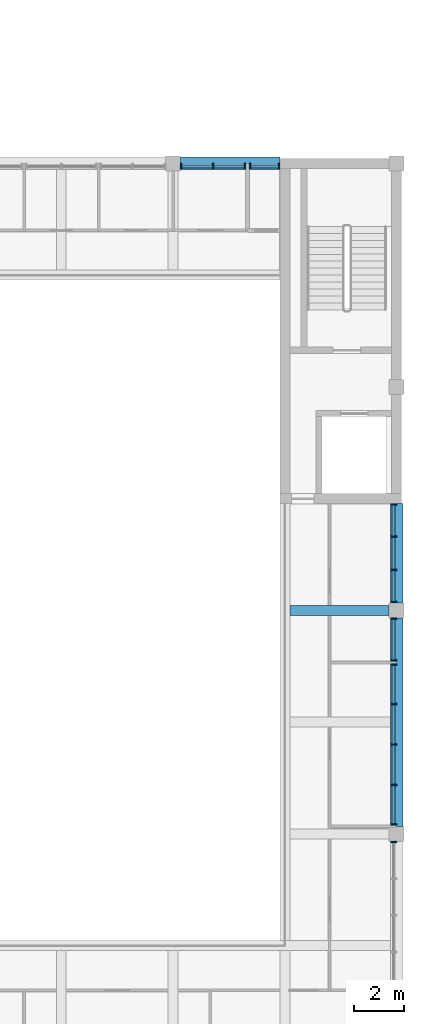
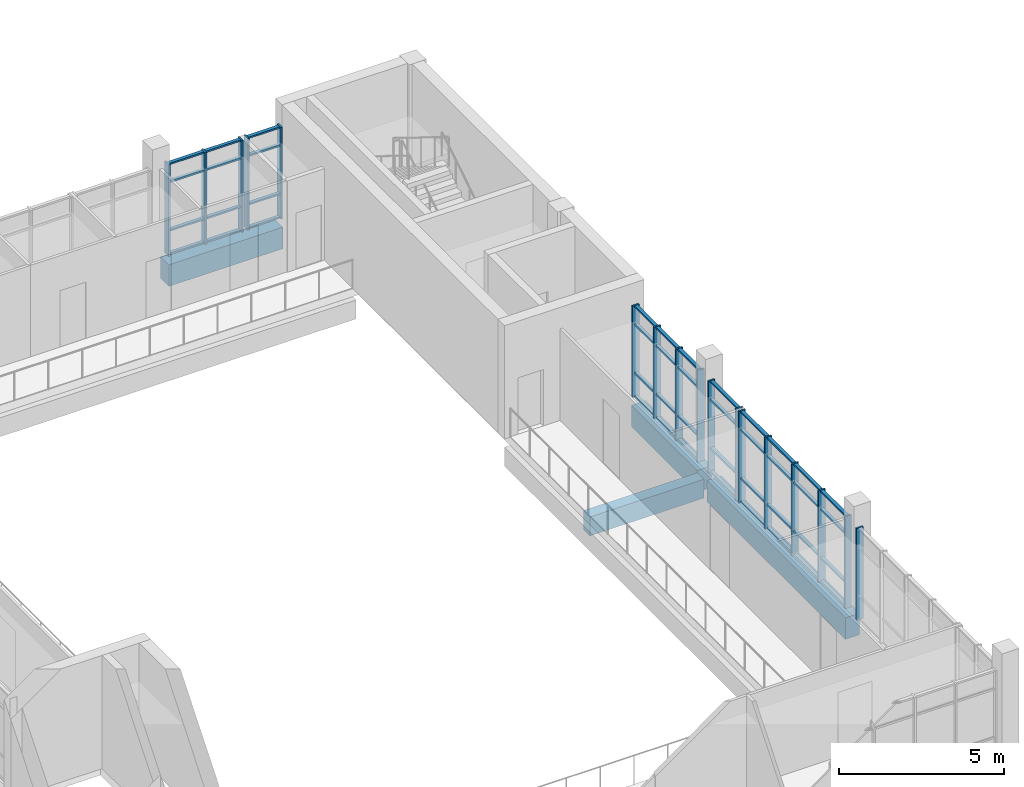
# One storey, part 11 of 92: 61 members, 4 beams, 6 elements without a shape of their own.
"""IFC4 building model written with IfcOpenShell, lengths in metres."""

import ifcopenshell
import ifcopenshell.guid

model = None  # the IFC model being written
_history = None  # IfcOwnerHistory: only IFC2X3 demands one
_inside = {}  # id of a spatial element -> (the spatial element, [elements in it])
_under = {}  # id of a project, library or spatial element -> (it, [spatial elements below it])
_declared = {}  # id of a project -> (the project, [libraries it declares])
_typed = {}  # id of a type object -> (the type object, [elements of that type])
_made_of = {}  # id of a material, layer set ... -> (it, [elements and type objects made of it])


def new_model(schema):
    """Start an empty IFC model of exactly this schema.

    Asked for "IFC4X3", IfcOpenShell would pick the latest addendum, in which some entities
    have other attributes; the version numbers below select the first issue.
    IFC2X3 requires an IfcOwnerHistory on every rooted entity: one is made here for all.
    """
    global model, _history
    if schema == "IFC4X3":
        model = ifcopenshell.file(schema_version=(4, 3, 0, 0))
    else:
        model = ifcopenshell.file(schema=schema)
    _inside.clear()
    _under.clear()
    _declared.clear()
    _typed.clear()
    _made_of.clear()
    _history = None
    if model.schema == "IFC2X3":
        org = make("IfcOrganization", Name="unknown")
        user = make(
            "IfcPersonAndOrganization",
            ThePerson=make("IfcPerson", FamilyName="unknown"),
            TheOrganization=org,
        )
        app = make(
            "IfcApplication",
            ApplicationDeveloper=org,
            Version="unknown",
            ApplicationFullName="unknown",
            ApplicationIdentifier="unknown",
        )
        _history = make(
            "IfcOwnerHistory",
            OwningUser=user,
            OwningApplication=app,
            ChangeAction="ADDED",
            CreationDate=0,
        )
    return model


def make(cls, **values):
    """One entity of the class cls with the attributes given. An attribute that is None is left unset."""
    return model.create_entity(
        cls, **{name: value for name, value in values.items() if value is not None}
    )


def rooted(cls, **values):
    """An entity with a GlobalId (a new one), such as an element, a storey or a relation."""
    return make(cls, GlobalId=ifcopenshell.guid.new(), OwnerHistory=_history, **values)


def si_unit(unit_type, name, prefix=None):
    """IfcSIUnit, for example si_unit("LENGTHUNIT", "METRE", prefix="MILLI")."""
    return make("IfcSIUnit", UnitType=unit_type, Prefix=prefix, Name=name)


def assignment(units):
    """IfcUnitAssignment: the units of a project."""
    return None if units is None else make("IfcUnitAssignment", Units=units)


def point(xyz):
    """IfcCartesianPoint."""
    return None if xyz is None else make("IfcCartesianPoint", Coordinates=xyz)


def direction(xyz):
    """IfcDirection."""
    return None if xyz is None else make("IfcDirection", DirectionRatios=xyz)


def frame(location, z_axis=None, x_axis=None):
    """IfcAxis2Placement3D, a coordinate frame: its origin and axes. An axis left out is left unset."""
    return make(
        "IfcAxis2Placement3D",
        Location=point(location),
        Axis=direction(z_axis),
        RefDirection=direction(x_axis),
    )


def frame_2d(location, x_axis=None):
    """IfcAxis2Placement2D, a coordinate frame in the plane: its origin and x axis."""
    return make(
        "IfcAxis2Placement2D", Location=point(location), RefDirection=direction(x_axis)
    )


def origin():
    """The frame at (0, 0, 0) with its axes left unset."""
    return frame((0.0, 0.0, 0.0))


def origin_2d():
    """The frame at (0, 0) in the plane with its x axis left unset."""
    return frame_2d((0.0, 0.0))


def place(relative_to, where):
    """IfcLocalPlacement: puts the frame where relative to a parent placement (None: the world)."""
    return make(
        "IfcLocalPlacement", PlacementRelTo=relative_to, RelativePlacement=where
    )


def context(
    kind, dimensions, precision=None, world=None, true_north=None, identifier=None
):
    """IfcGeometricRepresentationContext, for example the 3D "Model" context."""
    return make(
        "IfcGeometricRepresentationContext",
        ContextIdentifier=identifier,
        ContextType=kind,
        CoordinateSpaceDimension=dimensions,
        Precision=precision,
        WorldCoordinateSystem=world,
        TrueNorth=true_north,
    )


def subcontext(parent, identifier, kind, view, scale=None):
    """IfcGeometricRepresentationSubContext, for example "Body" below "Model"."""
    return make(
        "IfcGeometricRepresentationSubContext",
        ContextIdentifier=identifier,
        ContextType=kind,
        ParentContext=parent,
        TargetScale=scale,
        TargetView=view,
    )


def project(units=None, contexts=None):
    """IfcProject with its units and contexts."""
    return rooted(
        "IfcProject",
        Name="project",
        RepresentationContexts=contexts,
        UnitsInContext=assignment(units),
    )


def spatial(cls, under=None, at=None, **own):
    """A site, building, storey or space (cls), placed at a placement, below another one or the project."""
    s = rooted(cls, ObjectPlacement=at, **own)
    if under is not None:
        _under.setdefault(under.id(), (under, []))[1].append(s)
    return s


def profile(cls, at=None, kind="AREA", **sizes):
    """A parametric profile (cls). Its sizes go by their IFC names, for example OverallWidth=200.0."""
    return make(cls, ProfileType=kind, Position=at, **sizes)


def rectangle(**sizes):
    """IfcRectangleProfileDef."""
    return profile("IfcRectangleProfileDef", **sizes)


def extrude(swept, where, along, depth):
    """IfcExtrudedAreaSolid: the profile swept, set in the frame where, extruded along a direction by depth."""
    return make(
        "IfcExtrudedAreaSolid",
        SweptArea=swept,
        Position=where,
        ExtrudedDirection=direction(along),
        Depth=depth,
    )


def shape(context_of_items, identifier, shape_type, items):
    """IfcShapeRepresentation: the items that make up one representation, for example the "Body"."""
    return make(
        "IfcShapeRepresentation",
        ContextOfItems=context_of_items,
        RepresentationIdentifier=identifier,
        RepresentationType=shape_type,
        Items=items,
    )


def material(Name=None, Category=None):
    """IfcMaterial."""
    return make("IfcMaterial", Name=Name, Category=Category)


def material_profile(
    of_material, cross_section, Name=None, Category=None, Priority=None
):
    """IfcMaterialProfile: a cross section and its material."""
    return make(
        "IfcMaterialProfile",
        Name=Name,
        Material=of_material,
        Profile=cross_section,
        Priority=Priority,
        Category=Category,
    )


def profile_set(profiles, Name=None, composite=None):
    """IfcMaterialProfileSet."""
    return make(
        "IfcMaterialProfileSet",
        Name=Name,
        MaterialProfiles=profiles,
        CompositeProfile=composite,
    )


def made_of(thing, what):
    """Note that an element or type object is made of a material, layer set ...; save() writes the relation."""
    if what is not None:
        _made_of.setdefault(what.id(), (what, []))[1].append(thing)
    return thing


def type_object(cls, material=None, **own):
    """A type object (cls), such as IfcWallType, which elements share."""
    return made_of(rooted(cls, **own), material)


def element(
    cls,
    number,
    at=None,
    inside=None,
    cuts=None,
    type_object=None,
    material=None,
    context=None,
    identifier="Body",
    shape_type=None,
    held_by="IfcProductDefinitionShape",
    body=None,
    shapes=None,
    **own,
):
    """One element of the class cls, such as IfcWall. Its Tag is "e" and its number.

    at: its placement. inside: the storey or other place that contains it. cuts: it is an
    opening in that element (IfcRelVoidsElement). A single representation is given by context,
    identifier, shape_type and body (its items); several are given by shapes. held_by: the class
    of the entity that holds the representations. save() writes the other relations.
    """
    e = rooted(cls, Tag="e%d" % number, ObjectPlacement=at, **own)
    if body is not None:
        shapes = [shape(context, identifier, shape_type, body)]
    if shapes is not None:
        e.Representation = make(held_by, Representations=shapes)
    if inside is not None:
        _inside.setdefault(inside.id(), (inside, []))[1].append(e)
    if cuts is not None:
        rooted(
            "IfcRelVoidsElement", RelatingBuildingElement=cuts, RelatedOpeningElement=e
        )
    if type_object is not None:
        _typed.setdefault(type_object.id(), (type_object, []))[1].append(e)
    return made_of(e, material)


def aggregate(whole, parts):
    """IfcRelAggregates: a whole, such as a stair, and the parts it consists of."""
    return rooted("IfcRelAggregates", RelatingObject=whole, RelatedObjects=parts)


def save(model, path):
    """Write the relations noted so far, then the file.

    IfcRelAggregates (storeys below a building ...), IfcRelContainedInSpatialStructure (elements
    in a storey), IfcRelDefinesByType, IfcRelAssociatesMaterial and IfcRelDeclares: one each for
    every whole, place, type object, material and project.
    """
    for whole, parts in _under.values():
        aggregate(whole, parts)
    for where, things in _inside.values():
        rooted(
            "IfcRelContainedInSpatialStructure",
            RelatedElements=things,
            RelatingStructure=where,
        )
    for kind, things in _typed.values():
        rooted("IfcRelDefinesByType", RelatedObjects=things, RelatingType=kind)
    for what, things in _made_of.values():
        rooted("IfcRelAssociatesMaterial", RelatedObjects=things, RelatingMaterial=what)
    for by, libraries in _declared.values():
        rooted("IfcRelDeclares", RelatingContext=by, RelatedDefinitions=libraries)
    model.write(path)


model = new_model("IFC4")

# Units and contexts
model_context = context("Model", 3, precision=1e-05, world=origin(), true_north=direction((0.0, 1.0)))
body_context = subcontext(model_context, "Body", "Model", "MODEL_VIEW")
ifc_project = project(units=[si_unit("LENGTHUNIT", "METRE"), si_unit("AREAUNIT", "SQUARE_METRE"), si_unit("VOLUMEUNIT", "CUBIC_METRE"), si_unit("PLANEANGLEUNIT", "RADIAN"), si_unit("MASSUNIT", "GRAM", prefix="KILO")], contexts=[model_context])

# Site, building, storey
site_placement = place(None, origin())
site = spatial("IfcSite", under=ifc_project, at=site_placement, CompositionType="ELEMENT")
building_placement = place(site_placement, origin())
building = spatial("IfcBuilding", under=site, at=building_placement, Name="Merrow Basin Faculty of Sciences", CompositionType="ELEMENT")
storey_placement = place(building_placement, frame((0.0, 0.0, 4.5)))
storey = spatial("IfcBuildingStorey", under=building, at=storey_placement, Name="L01", CompositionType="ELEMENT", Elevation=4.5)

# Curtain wall, members
ifc_material_1 = material(Name="Aluminium alloy 6063", Category="aluminium")
curtain_wall_type = type_object("IfcCurtainWallType", Name="Atrium unitised curtain wall 240", PredefinedType="NOTDEFINED", material=ifc_material_1)
curtain_wall_1_placement = place(storey_placement, origin())
curtain_wall_1 = element("IfcCurtainWall", 1, at=curtain_wall_1_placement, inside=storey, type_object=curtain_wall_type, Name="N curtain wall L01 5", PredefinedType="NOTDEFINED")
ifc_material_2 = material(Name="Aluminium alloy 6063", Category="aluminium")
ifc_material_profile_1 = material_profile(ifc_material_2, rectangle(XDim=0.239990234375, YDim=0.06005859375, at=origin_2d()))
ifc_profile_set_1 = profile_set([ifc_material_profile_1], Name="Aluminium alloy 6063")
member_type_1 = type_object("IfcMemberType", Name="Aluminium mullion 60x240", PredefinedType="MULLION", material=ifc_profile_set_1)
member_1_placement = place(storey_placement, frame((63.330078125, 35.8798828125, 0.0), z_axis=(0.0, 0.0, 1.0), x_axis=(0.0, 1.0, 0.0)))
member_1 = element("IfcMember", 2, at=member_1_placement, type_object=member_type_1, Name="CW5 mullion 1", PredefinedType="MULLION", context=body_context, shape_type="SweptSolid", body=[
    extrude(rectangle(XDim=0.239990234375, YDim=0.06005859375, at=origin_2d()), origin(), (0.0, 0.0, 1.0), 3.39990234375),
])
member_2_placement = place(storey_placement, frame((64.612548828125, 35.8798828125, 0.0), z_axis=(0.0, 0.0, 1.0), x_axis=(0.0, 1.0, 0.0)))
member_2 = element("IfcMember", 3, at=member_2_placement, type_object=member_type_1, Name="CW5 mullion 2", PredefinedType="MULLION", context=body_context, shape_type="SweptSolid", body=[
    extrude(rectangle(XDim=0.239990234375, YDim=0.06005859375, at=origin_2d()), origin(), (0.0, 0.0, 1.0), 3.39990234375),
])
member_3_placement = place(storey_placement, frame((65.89501953125, 35.8798828125, 0.0), z_axis=(0.0, 0.0, 1.0), x_axis=(0.0, 1.0, 0.0)))
member_3 = element("IfcMember", 4, at=member_3_placement, type_object=member_type_1, Name="CW5 mullion 3", PredefinedType="MULLION", context=body_context, shape_type="SweptSolid", body=[
    extrude(rectangle(XDim=0.239990234375, YDim=0.06005859375, at=origin_2d()), origin(), (0.0, 0.0, 1.0), 3.39990234375),
])

curtain_wall_2_placement = place(storey_placement, origin())
curtain_wall_2 = element("IfcCurtainWall", 5, at=curtain_wall_2_placement, inside=storey, type_object=curtain_wall_type, Name="N curtain wall L01 6", PredefinedType="NOTDEFINED")
member_4_placement = place(storey_placement, frame((66.10498046875, 35.8798828125, 0.0), z_axis=(0.0, 0.0, 1.0), x_axis=(0.0, 1.0, 0.0)))
member_4 = element("IfcMember", 6, at=member_4_placement, type_object=member_type_1, Name="CW5 mullion 1", PredefinedType="MULLION", context=body_context, shape_type="SweptSolid", body=[
    extrude(rectangle(XDim=0.239990234375, YDim=0.06005859375, at=origin_2d()), origin(), (0.0, 0.0, 1.0), 3.39990234375),
])
member_5_placement = place(storey_placement, frame((67.27001953125, 35.8798828125, 0.0), z_axis=(0.0, 0.0, 1.0), x_axis=(0.0, 1.0, 0.0)))
member_5 = element("IfcMember", 7, at=member_5_placement, type_object=member_type_1, Name="CW5 mullion 2", PredefinedType="MULLION", context=body_context, shape_type="SweptSolid", body=[
    extrude(rectangle(XDim=0.239990234375, YDim=0.06005859375, at=origin_2d()), origin(), (0.0, 0.0, 1.0), 3.39990234375),
])

# Curtain wall, member
curtain_wall_3_placement = place(storey_placement, origin())
curtain_wall_3 = element("IfcCurtainWall", 8, at=curtain_wall_3_placement, inside=storey, type_object=curtain_wall_type, Name="E curtain wall L01 2", PredefinedType="NOTDEFINED")
member_6_placement = place(storey_placement, frame((71.8798828125, 8.669921875, 0.0), z_axis=(0.0, 0.0, 1.0), x_axis=(-1.0, 0.0, 0.0)))
member_6 = element("IfcMember", 9, at=member_6_placement, type_object=member_type_1, Name="CW5 mullion 5", PredefinedType="MULLION", context=body_context, shape_type="SweptSolid", body=[
    extrude(rectangle(XDim=0.239990234375, YDim=0.06005859375, at=origin_2d()), origin(), (0.0, 0.0, 1.0), 3.39990234375),
])
aggregate(curtain_wall_3, [member_6])

# Curtain wall, members
curtain_wall_4_placement = place(storey_placement, origin())
curtain_wall_4 = element("IfcCurtainWall", 10, at=curtain_wall_4_placement, inside=storey, type_object=curtain_wall_type, Name="E curtain wall L01 3", PredefinedType="NOTDEFINED")
member_7_placement = place(storey_placement, frame((71.8798828125, 9.3798828125, 0.0), z_axis=(0.0, 0.0, 1.0), x_axis=(-1.0, 0.0, 0.0)))
member_7 = element("IfcMember", 11, at=member_7_placement, type_object=member_type_1, Name="CW5 mullion 1", PredefinedType="MULLION", context=body_context, shape_type="SweptSolid", body=[
    extrude(rectangle(XDim=0.239990234375, YDim=0.06005859375, at=origin_2d()), origin(), (0.0, 0.0, 1.0), 3.39990234375),
])
member_8_placement = place(storey_placement, frame((71.8798828125, 10.97509765625, 0.0), z_axis=(0.0, 0.0, 1.0), x_axis=(-1.0, 0.0, 0.0)))
member_8 = element("IfcMember", 12, at=member_8_placement, type_object=member_type_1, Name="CW5 mullion 2", PredefinedType="MULLION", context=body_context, shape_type="SweptSolid", body=[
    extrude(rectangle(XDim=0.239990234375, YDim=0.06005859375, at=origin_2d()), origin(), (0.0, 0.0, 1.0), 3.39990234375),
])
member_9_placement = place(storey_placement, frame((71.8798828125, 12.60009765625, 0.0), z_axis=(0.0, 0.0, 1.0), x_axis=(-1.0, 0.0, 0.0)))
member_9 = element("IfcMember", 13, at=member_9_placement, type_object=member_type_1, Name="CW5 mullion 3", PredefinedType="MULLION", context=body_context, shape_type="SweptSolid", body=[
    extrude(rectangle(XDim=0.239990234375, YDim=0.06005859375, at=origin_2d()), origin(), (0.0, 0.0, 1.0), 3.39990234375),
])
member_10_placement = place(storey_placement, frame((71.8798828125, 14.22509765625, 0.0), z_axis=(0.0, 0.0, 1.0), x_axis=(-1.0, 0.0, 0.0)))
member_10 = element("IfcMember", 14, at=member_10_placement, type_object=member_type_1, Name="CW5 mullion 4", PredefinedType="MULLION", context=body_context, shape_type="SweptSolid", body=[
    extrude(rectangle(XDim=0.239990234375, YDim=0.06005859375, at=origin_2d()), origin(), (0.0, 0.0, 1.0), 3.39990234375),
])
member_11_placement = place(storey_placement, frame((71.8798828125, 15.820068359375, 0.0), z_axis=(0.0, 0.0, 1.0), x_axis=(-1.0, 0.0, 0.0)))
member_11 = element("IfcMember", 15, at=member_11_placement, type_object=member_type_1, Name="CW5 mullion 5", PredefinedType="MULLION", context=body_context, shape_type="SweptSolid", body=[
    extrude(rectangle(XDim=0.239990234375, YDim=0.06005859375, at=origin_2d()), origin(), (0.0, 0.0, 1.0), 3.39990234375),
])

curtain_wall_5_placement = place(storey_placement, origin())
curtain_wall_5 = element("IfcCurtainWall", 16, at=curtain_wall_5_placement, inside=storey, type_object=curtain_wall_type, Name="E curtain wall L01 4", PredefinedType="NOTDEFINED")
member_12_placement = place(storey_placement, frame((71.8798828125, 15.97998046875, 0.0), z_axis=(0.0, 0.0, 1.0), x_axis=(-1.0, 0.0, 0.0)))
member_12 = element("IfcMember", 17, at=member_12_placement, type_object=member_type_1, Name="CW5 mullion 1", PredefinedType="MULLION", context=body_context, shape_type="SweptSolid", body=[
    extrude(rectangle(XDim=0.239990234375, YDim=0.06005859375, at=origin_2d()), origin(), (0.0, 0.0, 1.0), 3.39990234375),
])
member_13_placement = place(storey_placement, frame((71.8798828125, 17.669921875, 0.0), z_axis=(0.0, 0.0, 1.0), x_axis=(-1.0, 0.0, 0.0)))
member_13 = element("IfcMember", 18, at=member_13_placement, type_object=member_type_1, Name="CW5 mullion 2", PredefinedType="MULLION", context=body_context, shape_type="SweptSolid", body=[
    extrude(rectangle(XDim=0.239990234375, YDim=0.06005859375, at=origin_2d()), origin(), (0.0, 0.0, 1.0), 3.39990234375),
])

curtain_wall_6_placement = place(storey_placement, origin())
curtain_wall_6 = element("IfcCurtainWall", 19, at=curtain_wall_6_placement, inside=storey, type_object=curtain_wall_type, Name="E curtain wall L01 5", PredefinedType="NOTDEFINED")
member_14_placement = place(storey_placement, frame((71.8798828125, 18.330078125, 0.0), z_axis=(0.0, 0.0, 1.0), x_axis=(-1.0, 0.0, 0.0)))
member_14 = element("IfcMember", 20, at=member_14_placement, type_object=member_type_1, Name="CW5 mullion 1", PredefinedType="MULLION", context=body_context, shape_type="SweptSolid", body=[
    extrude(rectangle(XDim=0.239990234375, YDim=0.06005859375, at=origin_2d()), origin(), (0.0, 0.0, 1.0), 3.39990234375),
])
member_15_placement = place(storey_placement, frame((71.8798828125, 19.63330078125, 0.0), z_axis=(0.0, 0.0, 1.0), x_axis=(-1.0, 0.0, 0.0)))
member_15 = element("IfcMember", 21, at=member_15_placement, type_object=member_type_1, Name="CW5 mullion 2", PredefinedType="MULLION", context=body_context, shape_type="SweptSolid", body=[
    extrude(rectangle(XDim=0.239990234375, YDim=0.06005859375, at=origin_2d()), origin(), (0.0, 0.0, 1.0), 3.39990234375),
])
member_16_placement = place(storey_placement, frame((71.8798828125, 20.966552734375, 0.0), z_axis=(0.0, 0.0, 1.0), x_axis=(-1.0, 0.0, 0.0)))
member_16 = element("IfcMember", 22, at=member_16_placement, type_object=member_type_1, Name="CW5 mullion 3", PredefinedType="MULLION", context=body_context, shape_type="SweptSolid", body=[
    extrude(rectangle(XDim=0.239990234375, YDim=0.06005859375, at=origin_2d()), origin(), (0.0, 0.0, 1.0), 3.39990234375),
])
member_17_placement = place(storey_placement, frame((71.8798828125, 22.27001953125, 0.0), z_axis=(0.0, 0.0, 1.0), x_axis=(-1.0, 0.0, 0.0)))
member_17 = element("IfcMember", 23, at=member_17_placement, type_object=member_type_1, Name="CW5 mullion 4", PredefinedType="MULLION", context=body_context, shape_type="SweptSolid", body=[
    extrude(rectangle(XDim=0.239990234375, YDim=0.06005859375, at=origin_2d()), origin(), (0.0, 0.0, 1.0), 3.39990234375),
])

# Member
ifc_material_3 = material(Name="Aluminium alloy 6063", Category="aluminium")
ifc_material_profile_2 = material_profile(ifc_material_3, rectangle(XDim=0.1201171875, YDim=0.06005859375, at=origin_2d()))
ifc_profile_set_2 = profile_set([ifc_material_profile_2], Name="Aluminium alloy 6063")
member_type_2 = type_object("IfcMemberType", Name="Aluminium transom 60x120", PredefinedType="USERDEFINED", material=ifc_profile_set_2)
member_18_placement = place(storey_placement, frame((63.360107421875, 35.8798828125, 0.030029296875), z_axis=(1.0, 0.0, 0.0), x_axis=(0.0, 1.0, 0.0)))
member_18 = element("IfcMember", 24, at=member_18_placement, type_object=member_type_2, Name="CW5 transom 1.1", ObjectType="TRANSOM", PredefinedType="USERDEFINED", context=body_context, shape_type="SweptSolid", body=[
    extrude(rectangle(XDim=0.1201171875, YDim=0.06005859375, at=origin_2d()), origin(), (0.0, 0.0, 1.0), 1.222412109375),
])

member_19_placement = place(storey_placement, frame((63.360107421875, 35.8798828125, 0.89990234375), z_axis=(1.0, 0.0, 0.0), x_axis=(0.0, 1.0, 0.0)))
member_19 = element("IfcMember", 25, at=member_19_placement, type_object=member_type_2, Name="CW5 transom 1.2", ObjectType="TRANSOM", PredefinedType="USERDEFINED", context=body_context, shape_type="SweptSolid", body=[
    extrude(rectangle(XDim=0.1201171875, YDim=0.06005859375, at=origin_2d()), origin(), (0.0, 0.0, 1.0), 1.222412109375),
])

member_20_placement = place(storey_placement, frame((63.360107421875, 35.8798828125, 2.699951171875), z_axis=(1.0, 0.0, 0.0), x_axis=(0.0, 1.0, 0.0)))
member_20 = element("IfcMember", 26, at=member_20_placement, type_object=member_type_2, Name="CW5 transom 1.3", ObjectType="TRANSOM", PredefinedType="USERDEFINED", context=body_context, shape_type="SweptSolid", body=[
    extrude(rectangle(XDim=0.1201171875, YDim=0.06005859375, at=origin_2d()), origin(), (0.0, 0.0, 1.0), 1.222412109375),
])

member_21_placement = place(storey_placement, frame((63.360107421875, 35.8798828125, 3.3701171875), z_axis=(1.0, 0.0, 0.0), x_axis=(0.0, 1.0, 0.0)))
member_21 = element("IfcMember", 27, at=member_21_placement, type_object=member_type_2, Name="CW5 transom 1.4", ObjectType="TRANSOM", PredefinedType="USERDEFINED", context=body_context, shape_type="SweptSolid", body=[
    extrude(rectangle(XDim=0.1201171875, YDim=0.06005859375, at=origin_2d()), origin(), (0.0, 0.0, 1.0), 1.222412109375),
])

member_22_placement = place(storey_placement, frame((64.642578125, 35.8798828125, 0.030029296875), z_axis=(1.0, 0.0, 0.0), x_axis=(0.0, 1.0, 0.0)))
member_22 = element("IfcMember", 28, at=member_22_placement, type_object=member_type_2, Name="CW5 transom 2.1", ObjectType="TRANSOM", PredefinedType="USERDEFINED", context=body_context, shape_type="SweptSolid", body=[
    extrude(rectangle(XDim=0.1201171875, YDim=0.06005859375, at=origin_2d()), origin(), (0.0, 0.0, 1.0), 1.222412109375),
])

member_23_placement = place(storey_placement, frame((64.642578125, 35.8798828125, 0.89990234375), z_axis=(1.0, 0.0, 0.0), x_axis=(0.0, 1.0, 0.0)))
member_23 = element("IfcMember", 29, at=member_23_placement, type_object=member_type_2, Name="CW5 transom 2.2", ObjectType="TRANSOM", PredefinedType="USERDEFINED", context=body_context, shape_type="SweptSolid", body=[
    extrude(rectangle(XDim=0.1201171875, YDim=0.06005859375, at=origin_2d()), origin(), (0.0, 0.0, 1.0), 1.222412109375),
])

member_24_placement = place(storey_placement, frame((64.642578125, 35.8798828125, 2.699951171875), z_axis=(1.0, 0.0, 0.0), x_axis=(0.0, 1.0, 0.0)))
member_24 = element("IfcMember", 30, at=member_24_placement, type_object=member_type_2, Name="CW5 transom 2.3", ObjectType="TRANSOM", PredefinedType="USERDEFINED", context=body_context, shape_type="SweptSolid", body=[
    extrude(rectangle(XDim=0.1201171875, YDim=0.06005859375, at=origin_2d()), origin(), (0.0, 0.0, 1.0), 1.222412109375),
])

member_25_placement = place(storey_placement, frame((64.642578125, 35.8798828125, 3.3701171875), z_axis=(1.0, 0.0, 0.0), x_axis=(0.0, 1.0, 0.0)))
member_25 = element("IfcMember", 31, at=member_25_placement, type_object=member_type_2, Name="CW5 transom 2.4", ObjectType="TRANSOM", PredefinedType="USERDEFINED", context=body_context, shape_type="SweptSolid", body=[
    extrude(rectangle(XDim=0.1201171875, YDim=0.06005859375, at=origin_2d()), origin(), (0.0, 0.0, 1.0), 1.222412109375),
])

aggregate(curtain_wall_1, [member_1, member_2, member_3, member_18, member_19, member_20, member_21, member_22, member_23, member_24, member_25])

member_26_placement = place(storey_placement, frame((66.135009765625, 35.8798828125, 0.030029296875), z_axis=(1.0, 0.0, 0.0), x_axis=(0.0, 1.0, 0.0)))
member_26 = element("IfcMember", 32, at=member_26_placement, type_object=member_type_2, Name="CW5 transom 1.1", ObjectType="TRANSOM", PredefinedType="USERDEFINED", context=body_context, shape_type="SweptSolid", body=[
    extrude(rectangle(XDim=0.1201171875, YDim=0.06005859375, at=origin_2d()), origin(), (0.0, 0.0, 1.0), 1.10498046875),
])

member_27_placement = place(storey_placement, frame((66.135009765625, 35.8798828125, 0.89990234375), z_axis=(1.0, 0.0, 0.0), x_axis=(0.0, 1.0, 0.0)))
member_27 = element("IfcMember", 33, at=member_27_placement, type_object=member_type_2, Name="CW5 transom 1.2", ObjectType="TRANSOM", PredefinedType="USERDEFINED", context=body_context, shape_type="SweptSolid", body=[
    extrude(rectangle(XDim=0.1201171875, YDim=0.06005859375, at=origin_2d()), origin(), (0.0, 0.0, 1.0), 1.10498046875),
])

member_28_placement = place(storey_placement, frame((66.135009765625, 35.8798828125, 2.699951171875), z_axis=(1.0, 0.0, 0.0), x_axis=(0.0, 1.0, 0.0)))
member_28 = element("IfcMember", 34, at=member_28_placement, type_object=member_type_2, Name="CW5 transom 1.3", ObjectType="TRANSOM", PredefinedType="USERDEFINED", context=body_context, shape_type="SweptSolid", body=[
    extrude(rectangle(XDim=0.1201171875, YDim=0.06005859375, at=origin_2d()), origin(), (0.0, 0.0, 1.0), 1.10498046875),
])

member_29_placement = place(storey_placement, frame((66.135009765625, 35.8798828125, 3.3701171875), z_axis=(1.0, 0.0, 0.0), x_axis=(0.0, 1.0, 0.0)))
member_29 = element("IfcMember", 35, at=member_29_placement, type_object=member_type_2, Name="CW5 transom 1.4", ObjectType="TRANSOM", PredefinedType="USERDEFINED", context=body_context, shape_type="SweptSolid", body=[
    extrude(rectangle(XDim=0.1201171875, YDim=0.06005859375, at=origin_2d()), origin(), (0.0, 0.0, 1.0), 1.10498046875),
])

aggregate(curtain_wall_2, [member_4, member_5, member_26, member_27, member_28, member_29])

member_30_placement = place(storey_placement, frame((71.8798828125, 9.409912109375, 0.030029296875), z_axis=(0.0, 1.0, 0.0), x_axis=(-1.0, 0.0, 0.0)))
member_30 = element("IfcMember", 36, at=member_30_placement, type_object=member_type_2, Name="CW5 transom 1.1", ObjectType="TRANSOM", PredefinedType="USERDEFINED", context=body_context, shape_type="SweptSolid", body=[
    extrude(rectangle(XDim=0.1201171875, YDim=0.06005859375, at=origin_2d()), origin(), (0.0, 0.0, 1.0), 1.53515625),
])

member_31_placement = place(storey_placement, frame((71.8798828125, 9.409912109375, 0.89990234375), z_axis=(0.0, 1.0, 0.0), x_axis=(-1.0, 0.0, 0.0)))
member_31 = element("IfcMember", 37, at=member_31_placement, type_object=member_type_2, Name="CW5 transom 1.2", ObjectType="TRANSOM", PredefinedType="USERDEFINED", context=body_context, shape_type="SweptSolid", body=[
    extrude(rectangle(XDim=0.1201171875, YDim=0.06005859375, at=origin_2d()), origin(), (0.0, 0.0, 1.0), 1.53515625),
])

member_32_placement = place(storey_placement, frame((71.8798828125, 9.409912109375, 2.699951171875), z_axis=(0.0, 1.0, 0.0), x_axis=(-1.0, 0.0, 0.0)))
member_32 = element("IfcMember", 38, at=member_32_placement, type_object=member_type_2, Name="CW5 transom 1.3", ObjectType="TRANSOM", PredefinedType="USERDEFINED", context=body_context, shape_type="SweptSolid", body=[
    extrude(rectangle(XDim=0.1201171875, YDim=0.06005859375, at=origin_2d()), origin(), (0.0, 0.0, 1.0), 1.53515625),
])

member_33_placement = place(storey_placement, frame((71.8798828125, 9.409912109375, 3.3701171875), z_axis=(0.0, 1.0, 0.0), x_axis=(-1.0, 0.0, 0.0)))
member_33 = element("IfcMember", 39, at=member_33_placement, type_object=member_type_2, Name="CW5 transom 1.4", ObjectType="TRANSOM", PredefinedType="USERDEFINED", context=body_context, shape_type="SweptSolid", body=[
    extrude(rectangle(XDim=0.1201171875, YDim=0.06005859375, at=origin_2d()), origin(), (0.0, 0.0, 1.0), 1.53515625),
])

member_34_placement = place(storey_placement, frame((71.8798828125, 11.0048828125, 0.030029296875), z_axis=(0.0, 1.0, 0.0), x_axis=(-1.0, 0.0, 0.0)))
member_34 = element("IfcMember", 40, at=member_34_placement, type_object=member_type_2, Name="CW5 transom 2.1", ObjectType="TRANSOM", PredefinedType="USERDEFINED", context=body_context, shape_type="SweptSolid", body=[
    extrude(rectangle(XDim=0.1201171875, YDim=0.06005859375, at=origin_2d()), origin(), (0.0, 0.0, 1.0), 1.565185546875),
])

member_35_placement = place(storey_placement, frame((71.8798828125, 11.0048828125, 0.89990234375), z_axis=(0.0, 1.0, 0.0), x_axis=(-1.0, 0.0, 0.0)))
member_35 = element("IfcMember", 41, at=member_35_placement, type_object=member_type_2, Name="CW5 transom 2.2", ObjectType="TRANSOM", PredefinedType="USERDEFINED", context=body_context, shape_type="SweptSolid", body=[
    extrude(rectangle(XDim=0.1201171875, YDim=0.06005859375, at=origin_2d()), origin(), (0.0, 0.0, 1.0), 1.565185546875),
])

member_36_placement = place(storey_placement, frame((71.8798828125, 11.0048828125, 2.699951171875), z_axis=(0.0, 1.0, 0.0), x_axis=(-1.0, 0.0, 0.0)))
member_36 = element("IfcMember", 42, at=member_36_placement, type_object=member_type_2, Name="CW5 transom 2.3", ObjectType="TRANSOM", PredefinedType="USERDEFINED", context=body_context, shape_type="SweptSolid", body=[
    extrude(rectangle(XDim=0.1201171875, YDim=0.06005859375, at=origin_2d()), origin(), (0.0, 0.0, 1.0), 1.565185546875),
])

member_37_placement = place(storey_placement, frame((71.8798828125, 11.0048828125, 3.3701171875), z_axis=(0.0, 1.0, 0.0), x_axis=(-1.0, 0.0, 0.0)))
member_37 = element("IfcMember", 43, at=member_37_placement, type_object=member_type_2, Name="CW5 transom 2.4", ObjectType="TRANSOM", PredefinedType="USERDEFINED", context=body_context, shape_type="SweptSolid", body=[
    extrude(rectangle(XDim=0.1201171875, YDim=0.06005859375, at=origin_2d()), origin(), (0.0, 0.0, 1.0), 1.565185546875),
])

member_38_placement = place(storey_placement, frame((71.8798828125, 12.6298828125, 0.030029296875), z_axis=(0.0, 1.0, 0.0), x_axis=(-1.0, 0.0, 0.0)))
member_38 = element("IfcMember", 44, at=member_38_placement, type_object=member_type_2, Name="CW5 transom 3.1", ObjectType="TRANSOM", PredefinedType="USERDEFINED", context=body_context, shape_type="SweptSolid", body=[
    extrude(rectangle(XDim=0.1201171875, YDim=0.06005859375, at=origin_2d()), origin(), (0.0, 0.0, 1.0), 1.565185546875),
])

member_39_placement = place(storey_placement, frame((71.8798828125, 12.6298828125, 0.89990234375), z_axis=(0.0, 1.0, 0.0), x_axis=(-1.0, 0.0, 0.0)))
member_39 = element("IfcMember", 45, at=member_39_placement, type_object=member_type_2, Name="CW5 transom 3.2", ObjectType="TRANSOM", PredefinedType="USERDEFINED", context=body_context, shape_type="SweptSolid", body=[
    extrude(rectangle(XDim=0.1201171875, YDim=0.06005859375, at=origin_2d()), origin(), (0.0, 0.0, 1.0), 1.565185546875),
])

member_40_placement = place(storey_placement, frame((71.8798828125, 12.6298828125, 2.699951171875), z_axis=(0.0, 1.0, 0.0), x_axis=(-1.0, 0.0, 0.0)))
member_40 = element("IfcMember", 46, at=member_40_placement, type_object=member_type_2, Name="CW5 transom 3.3", ObjectType="TRANSOM", PredefinedType="USERDEFINED", context=body_context, shape_type="SweptSolid", body=[
    extrude(rectangle(XDim=0.1201171875, YDim=0.06005859375, at=origin_2d()), origin(), (0.0, 0.0, 1.0), 1.565185546875),
])

member_41_placement = place(storey_placement, frame((71.8798828125, 12.6298828125, 3.3701171875), z_axis=(0.0, 1.0, 0.0), x_axis=(-1.0, 0.0, 0.0)))
member_41 = element("IfcMember", 47, at=member_41_placement, type_object=member_type_2, Name="CW5 transom 3.4", ObjectType="TRANSOM", PredefinedType="USERDEFINED", context=body_context, shape_type="SweptSolid", body=[
    extrude(rectangle(XDim=0.1201171875, YDim=0.06005859375, at=origin_2d()), origin(), (0.0, 0.0, 1.0), 1.565185546875),
])

member_42_placement = place(storey_placement, frame((71.8798828125, 14.2548828125, 0.030029296875), z_axis=(0.0, 1.0, 0.0), x_axis=(-1.0, 0.0, 0.0)))
member_42 = element("IfcMember", 48, at=member_42_placement, type_object=member_type_2, Name="CW5 transom 4.1", ObjectType="TRANSOM", PredefinedType="USERDEFINED", context=body_context, shape_type="SweptSolid", body=[
    extrude(rectangle(XDim=0.1201171875, YDim=0.06005859375, at=origin_2d()), origin(), (0.0, 0.0, 1.0), 1.53515625),
])

member_43_placement = place(storey_placement, frame((71.8798828125, 14.2548828125, 0.89990234375), z_axis=(0.0, 1.0, 0.0), x_axis=(-1.0, 0.0, 0.0)))
member_43 = element("IfcMember", 49, at=member_43_placement, type_object=member_type_2, Name="CW5 transom 4.2", ObjectType="TRANSOM", PredefinedType="USERDEFINED", context=body_context, shape_type="SweptSolid", body=[
    extrude(rectangle(XDim=0.1201171875, YDim=0.06005859375, at=origin_2d()), origin(), (0.0, 0.0, 1.0), 1.53515625),
])

member_44_placement = place(storey_placement, frame((71.8798828125, 14.2548828125, 2.699951171875), z_axis=(0.0, 1.0, 0.0), x_axis=(-1.0, 0.0, 0.0)))
member_44 = element("IfcMember", 50, at=member_44_placement, type_object=member_type_2, Name="CW5 transom 4.3", ObjectType="TRANSOM", PredefinedType="USERDEFINED", context=body_context, shape_type="SweptSolid", body=[
    extrude(rectangle(XDim=0.1201171875, YDim=0.06005859375, at=origin_2d()), origin(), (0.0, 0.0, 1.0), 1.53515625),
])

member_45_placement = place(storey_placement, frame((71.8798828125, 14.2548828125, 3.3701171875), z_axis=(0.0, 1.0, 0.0), x_axis=(-1.0, 0.0, 0.0)))
member_45 = element("IfcMember", 51, at=member_45_placement, type_object=member_type_2, Name="CW5 transom 4.4", ObjectType="TRANSOM", PredefinedType="USERDEFINED", context=body_context, shape_type="SweptSolid", body=[
    extrude(rectangle(XDim=0.1201171875, YDim=0.06005859375, at=origin_2d()), origin(), (0.0, 0.0, 1.0), 1.53515625),
])

aggregate(curtain_wall_4, [member_7, member_8, member_9, member_10, member_11, member_30, member_31, member_32, member_33, member_34, member_35, member_36, member_37, member_38, member_39, member_40, member_41, member_42, member_43, member_44, member_45])

member_46_placement = place(storey_placement, frame((71.8798828125, 16.010009765625, 0.030029296875), z_axis=(0.0, 1.0, 0.0), x_axis=(-1.0, 0.0, 0.0)))
member_46 = element("IfcMember", 52, at=member_46_placement, type_object=member_type_2, Name="CW5 transom 1.1", ObjectType="TRANSOM", PredefinedType="USERDEFINED", context=body_context, shape_type="SweptSolid", body=[
    extrude(rectangle(XDim=0.1201171875, YDim=0.06005859375, at=origin_2d()), origin(), (0.0, 0.0, 1.0), 1.6298828125),
])

member_47_placement = place(storey_placement, frame((71.8798828125, 16.010009765625, 0.89990234375), z_axis=(0.0, 1.0, 0.0), x_axis=(-1.0, 0.0, 0.0)))
member_47 = element("IfcMember", 53, at=member_47_placement, type_object=member_type_2, Name="CW5 transom 1.2", ObjectType="TRANSOM", PredefinedType="USERDEFINED", context=body_context, shape_type="SweptSolid", body=[
    extrude(rectangle(XDim=0.1201171875, YDim=0.06005859375, at=origin_2d()), origin(), (0.0, 0.0, 1.0), 1.6298828125),
])

member_48_placement = place(storey_placement, frame((71.8798828125, 16.010009765625, 2.699951171875), z_axis=(0.0, 1.0, 0.0), x_axis=(-1.0, 0.0, 0.0)))
member_48 = element("IfcMember", 54, at=member_48_placement, type_object=member_type_2, Name="CW5 transom 1.3", ObjectType="TRANSOM", PredefinedType="USERDEFINED", context=body_context, shape_type="SweptSolid", body=[
    extrude(rectangle(XDim=0.1201171875, YDim=0.06005859375, at=origin_2d()), origin(), (0.0, 0.0, 1.0), 1.6298828125),
])

member_49_placement = place(storey_placement, frame((71.8798828125, 16.010009765625, 3.3701171875), z_axis=(0.0, 1.0, 0.0), x_axis=(-1.0, 0.0, 0.0)))
member_49 = element("IfcMember", 55, at=member_49_placement, type_object=member_type_2, Name="CW5 transom 1.4", ObjectType="TRANSOM", PredefinedType="USERDEFINED", context=body_context, shape_type="SweptSolid", body=[
    extrude(rectangle(XDim=0.1201171875, YDim=0.06005859375, at=origin_2d()), origin(), (0.0, 0.0, 1.0), 1.6298828125),
])

aggregate(curtain_wall_5, [member_12, member_13, member_46, member_47, member_48, member_49])

member_50_placement = place(storey_placement, frame((71.8798828125, 18.360107421875, 0.030029296875), z_axis=(0.0, 1.0, 0.0), x_axis=(-1.0, 0.0, 0.0)))
member_50 = element("IfcMember", 56, at=member_50_placement, type_object=member_type_2, Name="CW5 transom 1.1", ObjectType="TRANSOM", PredefinedType="USERDEFINED", context=body_context, shape_type="SweptSolid", body=[
    extrude(rectangle(XDim=0.1201171875, YDim=0.06005859375, at=origin_2d()), origin(), (0.0, 0.0, 1.0), 1.2431640625),
])

member_51_placement = place(storey_placement, frame((71.8798828125, 18.360107421875, 0.89990234375), z_axis=(0.0, 1.0, 0.0), x_axis=(-1.0, 0.0, 0.0)))
member_51 = element("IfcMember", 57, at=member_51_placement, type_object=member_type_2, Name="CW5 transom 1.2", ObjectType="TRANSOM", PredefinedType="USERDEFINED", context=body_context, shape_type="SweptSolid", body=[
    extrude(rectangle(XDim=0.1201171875, YDim=0.06005859375, at=origin_2d()), origin(), (0.0, 0.0, 1.0), 1.2431640625),
])

member_52_placement = place(storey_placement, frame((71.8798828125, 18.360107421875, 2.699951171875), z_axis=(0.0, 1.0, 0.0), x_axis=(-1.0, 0.0, 0.0)))
member_52 = element("IfcMember", 58, at=member_52_placement, type_object=member_type_2, Name="CW5 transom 1.3", ObjectType="TRANSOM", PredefinedType="USERDEFINED", context=body_context, shape_type="SweptSolid", body=[
    extrude(rectangle(XDim=0.1201171875, YDim=0.06005859375, at=origin_2d()), origin(), (0.0, 0.0, 1.0), 1.2431640625),
])

member_53_placement = place(storey_placement, frame((71.8798828125, 18.360107421875, 3.3701171875), z_axis=(0.0, 1.0, 0.0), x_axis=(-1.0, 0.0, 0.0)))
member_53 = element("IfcMember", 59, at=member_53_placement, type_object=member_type_2, Name="CW5 transom 1.4", ObjectType="TRANSOM", PredefinedType="USERDEFINED", context=body_context, shape_type="SweptSolid", body=[
    extrude(rectangle(XDim=0.1201171875, YDim=0.06005859375, at=origin_2d()), origin(), (0.0, 0.0, 1.0), 1.2431640625),
])

member_54_placement = place(storey_placement, frame((71.8798828125, 19.663330078125, 0.030029296875), z_axis=(0.0, 1.0, 0.0), x_axis=(-1.0, 0.0, 0.0)))
member_54 = element("IfcMember", 60, at=member_54_placement, type_object=member_type_2, Name="CW5 transom 2.1", ObjectType="TRANSOM", PredefinedType="USERDEFINED", context=body_context, shape_type="SweptSolid", body=[
    extrude(rectangle(XDim=0.1201171875, YDim=0.06005859375, at=origin_2d()), origin(), (0.0, 0.0, 1.0), 1.2734375),
])

member_55_placement = place(storey_placement, frame((71.8798828125, 19.663330078125, 0.89990234375), z_axis=(0.0, 1.0, 0.0), x_axis=(-1.0, 0.0, 0.0)))
member_55 = element("IfcMember", 61, at=member_55_placement, type_object=member_type_2, Name="CW5 transom 2.2", ObjectType="TRANSOM", PredefinedType="USERDEFINED", context=body_context, shape_type="SweptSolid", body=[
    extrude(rectangle(XDim=0.1201171875, YDim=0.06005859375, at=origin_2d()), origin(), (0.0, 0.0, 1.0), 1.2734375),
])

member_56_placement = place(storey_placement, frame((71.8798828125, 19.663330078125, 2.699951171875), z_axis=(0.0, 1.0, 0.0), x_axis=(-1.0, 0.0, 0.0)))
member_56 = element("IfcMember", 62, at=member_56_placement, type_object=member_type_2, Name="CW5 transom 2.3", ObjectType="TRANSOM", PredefinedType="USERDEFINED", context=body_context, shape_type="SweptSolid", body=[
    extrude(rectangle(XDim=0.1201171875, YDim=0.06005859375, at=origin_2d()), origin(), (0.0, 0.0, 1.0), 1.2734375),
])

member_57_placement = place(storey_placement, frame((71.8798828125, 19.663330078125, 3.3701171875), z_axis=(0.0, 1.0, 0.0), x_axis=(-1.0, 0.0, 0.0)))
member_57 = element("IfcMember", 63, at=member_57_placement, type_object=member_type_2, Name="CW5 transom 2.4", ObjectType="TRANSOM", PredefinedType="USERDEFINED", context=body_context, shape_type="SweptSolid", body=[
    extrude(rectangle(XDim=0.1201171875, YDim=0.06005859375, at=origin_2d()), origin(), (0.0, 0.0, 1.0), 1.2734375),
])

member_58_placement = place(storey_placement, frame((71.8798828125, 20.99658203125, 0.030029296875), z_axis=(0.0, 1.0, 0.0), x_axis=(-1.0, 0.0, 0.0)))
member_58 = element("IfcMember", 64, at=member_58_placement, type_object=member_type_2, Name="CW5 transom 3.1", ObjectType="TRANSOM", PredefinedType="USERDEFINED", context=body_context, shape_type="SweptSolid", body=[
    extrude(rectangle(XDim=0.1201171875, YDim=0.06005859375, at=origin_2d()), origin(), (0.0, 0.0, 1.0), 1.243408203125),
])

member_59_placement = place(storey_placement, frame((71.8798828125, 20.99658203125, 0.89990234375), z_axis=(0.0, 1.0, 0.0), x_axis=(-1.0, 0.0, 0.0)))
member_59 = element("IfcMember", 65, at=member_59_placement, type_object=member_type_2, Name="CW5 transom 3.2", ObjectType="TRANSOM", PredefinedType="USERDEFINED", context=body_context, shape_type="SweptSolid", body=[
    extrude(rectangle(XDim=0.1201171875, YDim=0.06005859375, at=origin_2d()), origin(), (0.0, 0.0, 1.0), 1.243408203125),
])

member_60_placement = place(storey_placement, frame((71.8798828125, 20.99658203125, 2.699951171875), z_axis=(0.0, 1.0, 0.0), x_axis=(-1.0, 0.0, 0.0)))
member_60 = element("IfcMember", 66, at=member_60_placement, type_object=member_type_2, Name="CW5 transom 3.3", ObjectType="TRANSOM", PredefinedType="USERDEFINED", context=body_context, shape_type="SweptSolid", body=[
    extrude(rectangle(XDim=0.1201171875, YDim=0.06005859375, at=origin_2d()), origin(), (0.0, 0.0, 1.0), 1.243408203125),
])

member_61_placement = place(storey_placement, frame((71.8798828125, 20.99658203125, 3.3701171875), z_axis=(0.0, 1.0, 0.0), x_axis=(-1.0, 0.0, 0.0)))
member_61 = element("IfcMember", 67, at=member_61_placement, type_object=member_type_2, Name="CW5 transom 3.4", ObjectType="TRANSOM", PredefinedType="USERDEFINED", context=body_context, shape_type="SweptSolid", body=[
    extrude(rectangle(XDim=0.1201171875, YDim=0.06005859375, at=origin_2d()), origin(), (0.0, 0.0, 1.0), 1.243408203125),
])

aggregate(curtain_wall_6, [member_14, member_15, member_16, member_17, member_50, member_51, member_52, member_53, member_54, member_55, member_56, member_57, member_58, member_59, member_60, member_61])

# Beams
ifc_material_4 = material(Name="Concrete C40/50", Category="concrete")
ifc_material_profile_3 = material_profile(ifc_material_4, rectangle(XDim=0.5, YDim=0.800048828125, at=origin_2d()))
ifc_profile_set_3 = profile_set([ifc_material_profile_3], Name="Concrete C40/50")
beam_type_1 = type_object("IfcBeamType", Name="Beam RC500x800 C40/50", PredefinedType="BEAM", material=ifc_profile_set_3)
beam_1_placement = place(storey_placement, frame((63.300048828125, 36.0, -0.699951171875), z_axis=(1.0, 0.0, 0.0), x_axis=(0.0, 1.0, 0.0)))
element("IfcBeam", 68, at=beam_1_placement, inside=storey, type_object=beam_type_1, Name="B4 L01 006", PredefinedType="BEAM", context=body_context, shape_type="SweptSolid", body=[
    extrude(rectangle(XDim=0.5, YDim=0.800048828125, at=origin_2d()), origin(), (0.0, 0.0, 1.0), 4.0),
])
beam_2_placement = place(storey_placement, frame((72.0, 9.300048828125, -0.699951171875), z_axis=(0.0, 1.0, 0.0), x_axis=(-1.0, 0.0, 0.0)))
element("IfcBeam", 69, at=beam_2_placement, inside=storey, type_object=beam_type_1, Name="B4 L01 011", PredefinedType="BEAM", context=body_context, shape_type="SweptSolid", body=[
    extrude(rectangle(XDim=0.5, YDim=0.800048828125, at=origin_2d()), origin(), (0.0, 0.0, 1.0), 8.39990234375),
])
beam_3_placement = place(storey_placement, frame((72.0, 18.300048828125, -0.699951171875), z_axis=(0.0, 1.0, 0.0), x_axis=(-1.0, 0.0, 0.0)))
element("IfcBeam", 70, at=beam_3_placement, inside=storey, type_object=beam_type_1, Name="B4 L01 012", PredefinedType="BEAM", context=body_context, shape_type="SweptSolid", body=[
    extrude(rectangle(XDim=0.5, YDim=0.800048828125, at=origin_2d()), origin(), (0.0, 0.0, 1.0), 4.0),
])
ifc_material_5 = material(Name="Concrete C40/50", Category="concrete")
ifc_material_profile_4 = material_profile(ifc_material_5, rectangle(XDim=0.39990234375, YDim=0.699951171875, at=origin_2d()))
ifc_profile_set_4 = profile_set([ifc_material_profile_4], Name="Concrete C40/50")
beam_type_2 = type_object("IfcBeamType", Name="Gallery edge beam RC400x700 C40/50", PredefinedType="BEAM", material=ifc_profile_set_4)
beam_4_placement = place(storey_placement, frame((67.699951171875, 18.0, -0.64990234375), z_axis=(1.0, 0.0, 0.0), x_axis=(0.0, 1.0, 0.0)))
element("IfcBeam", 71, at=beam_4_placement, inside=storey, type_object=beam_type_2, Name="GB1 L01 029", PredefinedType="BEAM", context=body_context, shape_type="SweptSolid", body=[
    extrude(rectangle(XDim=0.39990234375, YDim=0.699951171875, at=origin_2d()), origin(), (0.0, 0.0, 1.0), 4.0),
])

save(model, "model.ifc")
